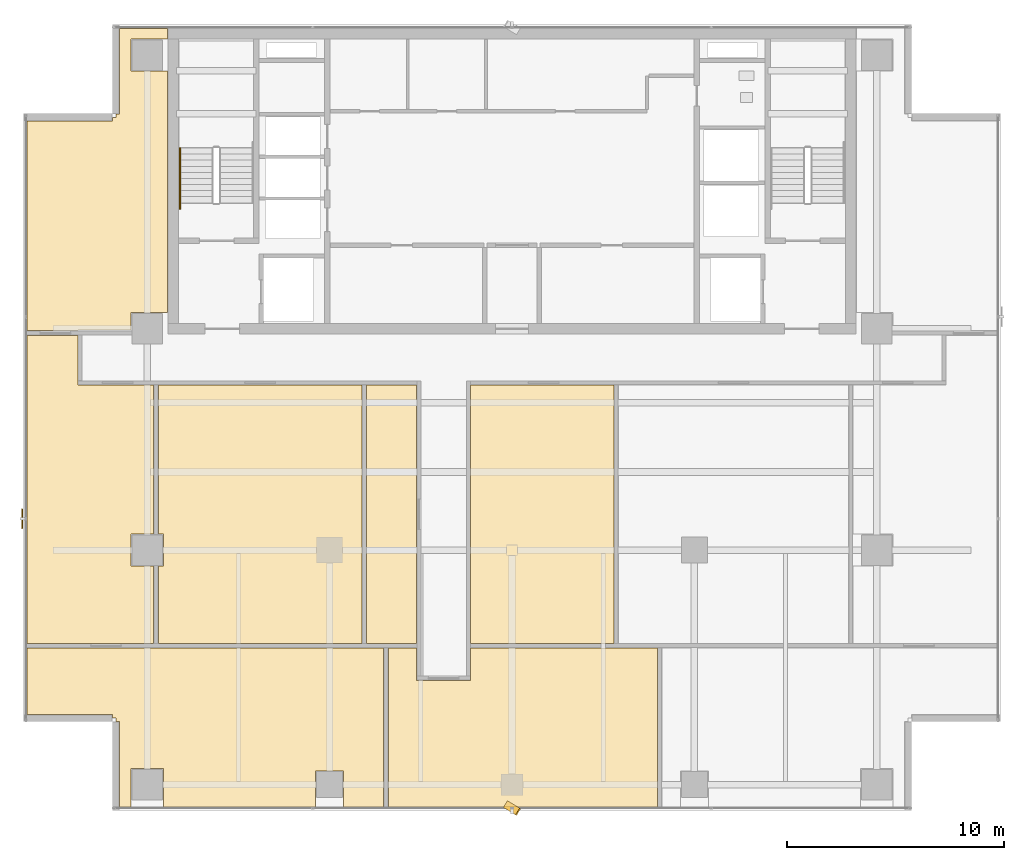
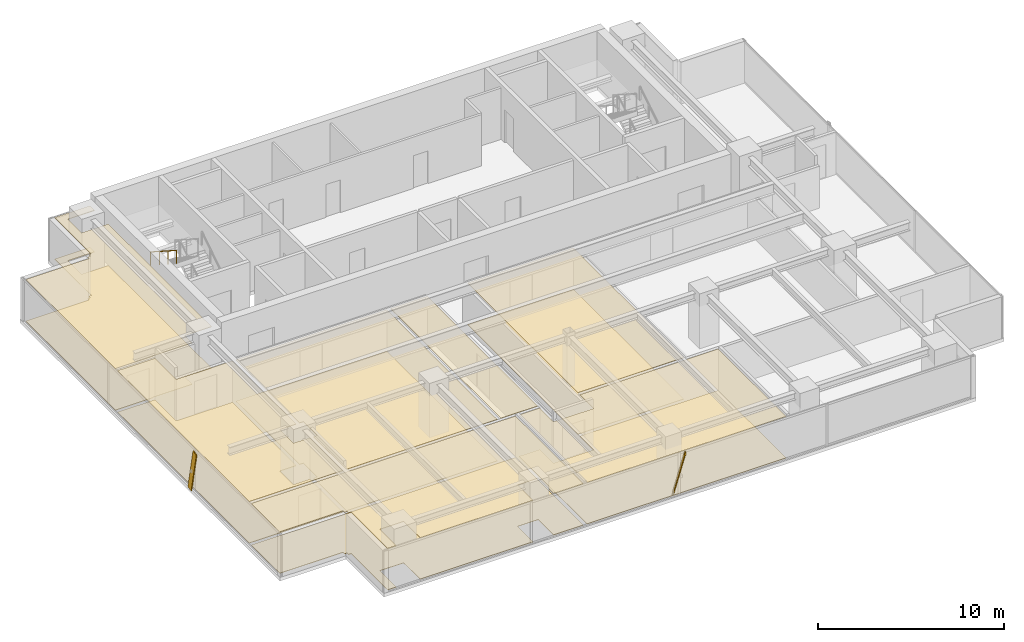
# One storey, part 22 of 25: 13 coverings, 2 shading devices, 1 railing.
"""IFC4 building model written with IfcOpenShell, lengths in metres."""

from ifc_helpers import new_model, si_unit, direction, frame, origin, origin_2d, place, context, subcontext, project, spatial, polyline, rectangle, outline, extrude, source, transform, mapped, material, layer, layer_set, material_profile, profile_set, type_object, element, save


model = new_model("IFC4")

# Units and contexts
model_context = context("Model", 3, precision=1e-05, world=origin(), true_north=direction((0.0, 1.0)))
body_context = subcontext(model_context, "Body", "Model", "MODEL_VIEW")
ifc_project = project(units=[si_unit("LENGTHUNIT", "METRE"), si_unit("AREAUNIT", "SQUARE_METRE"), si_unit("VOLUMEUNIT", "CUBIC_METRE"), si_unit("PLANEANGLEUNIT", "RADIAN"), si_unit("MASSUNIT", "GRAM", prefix="KILO")], contexts=[model_context])

# Site, building, storey
site_placement = place(None, origin())
site = spatial("IfcSite", under=ifc_project, at=site_placement, CompositionType="ELEMENT")
building_placement = place(site_placement, origin())
building = spatial("IfcBuilding", under=site, at=building_placement, Name="Sumidabori Civic Tower", CompositionType="ELEMENT")
storey_placement = place(building_placement, frame((0.0, 0.0, 268.39990234375)))
storey = spatial("IfcBuildingStorey", under=building, at=storey_placement, Name="L70", CompositionType="ELEMENT", Elevation=268.39990234375)

# Coverings
ifc_material_1 = material(Name="Acoustic Mineral Gypsum Ceiling Tile")
ifc_layer_1 = layer(ifc_material_1, 0.034912109375, Name="Acoustic Mineral Gypsum Ceiling Tile")
ifc_layer_set_1 = layer_set([ifc_layer_1], Name="Acoustic Mineral Gypsum Ceiling Tile")
covering_type_1 = type_object("IfcCoveringType", Name="CV-CEIL-AC1", PredefinedType="CEILING", material=ifc_layer_set_1)
covering_1_placement = place(storey_placement, frame((0.0, 0.0, 2.72021484375)))
element("IfcCovering", 1, at=covering_1_placement, inside=storey, type_object=covering_type_1, Name="Room Acoustic Ceiling L70-01", PredefinedType="CEILING", context=body_context, shape_type="SweptSolid", body=[
    extrude(outline(polyline([(-22.330078125, 10.110107421875), (-22.330078125, 19.77197265625), (-18.39208984375, 19.77197265625), (-18.39208984375, 19.929931640625), (-18.22998046875, 19.929931640625), (-18.22998046875, 20.092041015625), (-18.072021484375, 20.092041015625), (-18.072021484375, 24.030029296875), (-15.8779296875, 24.030029296875), (-15.8779296875, 23.5400390625), (-17.5400390625, 23.5400390625), (-17.5400390625, 22.06005859375), (-15.8779296875, 22.06005859375), (-15.8779296875, 10.93994140625), (-17.5400390625, 10.93994140625), (-17.5400390625, 10.14990234375), (-20.0, 10.14990234375), (-20.0, 10.110107421875), (-22.330078125, 10.110107421875)])), origin(), (0.0, 0.0, 1.0), 0.034912109375),
])
covering_2_placement = place(storey_placement, frame((0.0, 0.0, 2.72021484375)))
element("IfcCovering", 2, at=covering_2_placement, inside=storey, type_object=covering_type_1, Name="Room Acoustic Ceiling L70-03", PredefinedType="CEILING", context=body_context, shape_type="SweptSolid", body=[
    extrude(outline(polyline([(-20.0, 7.60009765625), (-16.510009765625, 7.60009765625), (-16.510009765625, 0.739990234375), (-17.5400390625, 0.739990234375), (-17.5400390625, -0.739990234375), (-16.510009765625, -0.739990234375), (-16.510009765625, -4.2900390625), (-22.330078125, -4.2900390625), (-22.330078125, 9.889892578125), (-20.0, 9.889892578125), (-20.0, 7.60009765625)])), origin(), (0.0, 0.0, 1.0), 0.034912109375),
])
covering_3_placement = place(storey_placement, frame((0.0, 0.0, 2.72021484375)))
element("IfcCovering", 3, at=covering_3_placement, inside=storey, type_object=covering_type_1, Name="Room Acoustic Ceiling L70-05", PredefinedType="CEILING", context=body_context, shape_type="SweptSolid", body=[
    extrude(outline(polyline([(-16.2900390625, -0.739990234375), (-16.06005859375, -0.739990234375), (-16.06005859375, 0.739990234375), (-16.2900390625, 0.739990234375), (-16.2900390625, 7.60009765625), (-6.909912109375, 7.60009765625), (-6.909912109375, -4.2900390625), (-16.2900390625, -4.2900390625), (-16.2900390625, -0.739990234375)])), origin(), (0.0, 0.0, 1.0), 0.034912109375),
])
covering_4_placement = place(storey_placement, frame((0.0, 0.0, 2.72021484375)))
element("IfcCovering", 4, at=covering_4_placement, inside=storey, type_object=covering_type_1, Name="Room Acoustic Ceiling L70-06", PredefinedType="CEILING", context=body_context, shape_type="SweptSolid", body=[
    extrude(outline(polyline([(-6.68994140625, 7.60009765625), (-4.39990234375, 7.60009765625), (-4.39990234375, -4.2900390625), (-6.68994140625, -4.2900390625), (-6.68994140625, 7.60009765625)])), origin(), (0.0, 0.0, 1.0), 0.034912109375),
])
covering_5_placement = place(storey_placement, frame((0.0, 0.0, 2.72021484375)))
element("IfcCovering", 5, at=covering_5_placement, inside=storey, type_object=covering_type_1, Name="Room Acoustic Ceiling L70-07", PredefinedType="CEILING", context=body_context, shape_type="SweptSolid", body=[
    extrude(outline(polyline([(-1.89990234375, 7.60009765625), (4.68994140625, 7.60009765625), (4.68994140625, -4.2900390625), (-1.89990234375, -4.2900390625), (-1.89990234375, 7.60009765625)])), origin(), (0.0, 0.0, 1.0), 0.034912109375),
])
covering_6_placement = place(storey_placement, frame((0.0, 0.0, 2.72021484375)))
element("IfcCovering", 6, at=covering_6_placement, inside=storey, type_object=covering_type_1, Name="Room Acoustic Ceiling L70-09", PredefinedType="CEILING", context=body_context, shape_type="SweptSolid", body=[
    extrude(outline(polyline([(-22.330078125, -7.572021484375), (-22.330078125, -4.510009765625), (-5.909912109375, -4.510009765625), (-5.909912109375, -11.830078125), (-7.760009765625, -11.830078125), (-7.760009765625, -10.159912109375), (-9.0400390625, -10.159912109375), (-9.0400390625, -11.830078125), (-16.06005859375, -11.830078125), (-16.06005859375, -10.06005859375), (-17.5400390625, -10.06005859375), (-17.5400390625, -11.830078125), (-18.072021484375, -11.830078125), (-18.072021484375, -7.89208984375), (-18.22998046875, -7.89208984375), (-18.22998046875, -7.72998046875), (-18.39208984375, -7.72998046875), (-18.39208984375, -7.572021484375), (-22.330078125, -7.572021484375)])), origin(), (0.0, 0.0, 1.0), 0.034912109375),
])
covering_7_placement = place(storey_placement, frame((0.0, 0.0, 2.72021484375)))
element("IfcCovering", 7, at=covering_7_placement, inside=storey, type_object=covering_type_1, Name="Room Acoustic Ceiling L70-11", PredefinedType="CEILING", context=body_context, shape_type="SweptSolid", body=[
    extrude(outline(polyline([(-4.39990234375, -6.0), (-1.89990234375, -6.0), (-1.89990234375, -5.797607421875), (-1.89990234375, -5.794921875), (-1.89990234375, -4.510009765625), (6.68994140625, -4.510009765625), (6.68994140625, -11.830078125), (-5.68994140625, -11.830078125), (-5.68994140625, -4.510009765625), (-4.39990234375, -4.510009765625), (-4.39990234375, -6.0)])), origin(), (0.0, 0.0, 1.0), 0.034912109375),
])
ifc_material_2 = material(Name="Honed Terrazzo Tile Flooring")
ifc_layer_2 = layer(ifc_material_2, 0.030029296875, Name="Honed Terrazzo Tile Flooring")
ifc_layer_set_2 = layer_set([ifc_layer_2], Name="Honed Terrazzo Tile Flooring")
covering_type_2 = type_object("IfcCoveringType", Name="CV-FLR-TER", PredefinedType="FLOORING", material=ifc_layer_set_2)
covering_8_placement = place(storey_placement, origin())
element("IfcCovering", 8, at=covering_8_placement, inside=storey, type_object=covering_type_2, Name="Room Terrazzo Floor L70-01", PredefinedType="FLOORING", context=body_context, shape_type="SweptSolid", body=[
    extrude(outline(polyline([(-22.330078125, 10.110107421875), (-22.330078125, 19.77197265625), (-18.39208984375, 19.77197265625), (-18.39208984375, 19.929931640625), (-18.22998046875, 19.929931640625), (-18.22998046875, 20.092041015625), (-18.072021484375, 20.092041015625), (-18.072021484375, 24.030029296875), (-15.8779296875, 24.030029296875), (-15.8779296875, 23.5400390625), (-17.5400390625, 23.5400390625), (-17.5400390625, 22.06005859375), (-15.8779296875, 22.06005859375), (-15.8779296875, 10.93994140625), (-17.5400390625, 10.93994140625), (-17.5400390625, 10.14990234375), (-20.0, 10.14990234375), (-20.0, 10.110107421875), (-22.330078125, 10.110107421875)])), origin(), (0.0, 0.0, 1.0), 0.030029296875),
])
covering_9_placement = place(storey_placement, origin())
element("IfcCovering", 9, at=covering_9_placement, inside=storey, type_object=covering_type_2, Name="Room Terrazzo Floor L70-03", PredefinedType="FLOORING", context=body_context, shape_type="SweptSolid", body=[
    extrude(outline(polyline([(-20.0, 7.60009765625), (-16.510009765625, 7.60009765625), (-16.510009765625, 0.739990234375), (-17.5400390625, 0.739990234375), (-17.5400390625, -0.739990234375), (-16.510009765625, -0.739990234375), (-16.510009765625, -4.2900390625), (-22.330078125, -4.2900390625), (-22.330078125, 9.889892578125), (-20.0, 9.889892578125), (-20.0, 7.60009765625)])), origin(), (0.0, 0.0, 1.0), 0.030029296875),
])
covering_10_placement = place(storey_placement, origin())
element("IfcCovering", 10, at=covering_10_placement, inside=storey, type_object=covering_type_2, Name="Room Terrazzo Floor L70-05", PredefinedType="FLOORING", context=body_context, shape_type="SweptSolid", body=[
    extrude(outline(polyline([(-16.2900390625, -0.739990234375), (-16.06005859375, -0.739990234375), (-16.06005859375, 0.739990234375), (-16.2900390625, 0.739990234375), (-16.2900390625, 7.60009765625), (-6.909912109375, 7.60009765625), (-6.909912109375, -4.2900390625), (-16.2900390625, -4.2900390625), (-16.2900390625, -0.739990234375)])), origin(), (0.0, 0.0, 1.0), 0.030029296875),
])
covering_11_placement = place(storey_placement, origin())
element("IfcCovering", 11, at=covering_11_placement, inside=storey, type_object=covering_type_2, Name="Room Terrazzo Floor L70-07", PredefinedType="FLOORING", context=body_context, shape_type="SweptSolid", body=[
    extrude(outline(polyline([(-1.89990234375, 7.60009765625), (4.68994140625, 7.60009765625), (4.68994140625, -4.2900390625), (-1.89990234375, -4.2900390625), (-1.89990234375, 7.60009765625)])), origin(), (0.0, 0.0, 1.0), 0.030029296875),
])
covering_12_placement = place(storey_placement, origin())
element("IfcCovering", 12, at=covering_12_placement, inside=storey, type_object=covering_type_2, Name="Room Terrazzo Floor L70-09", PredefinedType="FLOORING", context=body_context, shape_type="SweptSolid", body=[
    extrude(outline(polyline([(-22.330078125, -7.572021484375), (-22.330078125, -4.510009765625), (-5.909912109375, -4.510009765625), (-5.909912109375, -11.830078125), (-7.760009765625, -11.830078125), (-7.760009765625, -10.159912109375), (-9.0400390625, -10.159912109375), (-9.0400390625, -11.830078125), (-16.06005859375, -11.830078125), (-16.06005859375, -10.06005859375), (-17.5400390625, -10.06005859375), (-17.5400390625, -11.830078125), (-18.072021484375, -11.830078125), (-18.072021484375, -7.89208984375), (-18.22998046875, -7.89208984375), (-18.22998046875, -7.72998046875), (-18.39208984375, -7.72998046875), (-18.39208984375, -7.572021484375), (-22.330078125, -7.572021484375)])), origin(), (0.0, 0.0, 1.0), 0.030029296875),
])
covering_13_placement = place(storey_placement, origin())
element("IfcCovering", 13, at=covering_13_placement, inside=storey, type_object=covering_type_2, Name="Room Terrazzo Floor L70-11", PredefinedType="FLOORING", context=body_context, shape_type="SweptSolid", body=[
    extrude(outline(polyline([(-4.39990234375, -6.0), (-1.89990234375, -6.0), (-1.89990234375, -5.797607421875), (-1.89990234375, -5.794921875), (-1.89990234375, -4.510009765625), (6.68994140625, -4.510009765625), (6.68994140625, -11.830078125), (-5.68994140625, -11.830078125), (-5.68994140625, -4.510009765625), (-4.39990234375, -4.510009765625), (-4.39990234375, -6.0)])), origin(), (0.0, 0.0, 1.0), 0.030029296875),
])

# Railing
ifc_material_3 = material(Name="Stainless Steel Hairline Finish", Category="steel")
railing_type = type_object("IfcRailingType", Name="RL-HANDRAIL", PredefinedType="HANDRAIL", material=ifc_material_3)
railing_placement = place(storey_placement, frame((-15.2900390625, 18.52001953125, 1.97998046875)))
element("IfcRailing", 14, at=railing_placement, inside=storey, type_object=railing_type, Name="L70 ST-1 stair handrail 2", PredefinedType="HANDRAIL", context=body_context, shape_type="SweptSolid", body=[
    extrude(rectangle(XDim=0.048095703125, YDim=0.048095703125, at=origin_2d()), frame((0.0, 0.0, 0.8759765625), z_axis=(0.0, -0.84064222762, 0.54159084662), x_axis=(1.0, 0.0, 0.0)), (0.0, 0.0, 1.0), 3.330810546875),
    extrude(rectangle(XDim=0.0419921875, YDim=0.0419921875, at=origin_2d()), origin(), (0.0, 0.0, 1.0), 0.851806640625),
    extrude(rectangle(XDim=0.0419921875, YDim=0.0419921875, at=origin_2d()), frame((0.0, -0.933349609375, 0.601318359375)), (0.0, 0.0, 1.0), 0.851806640625),
    extrude(rectangle(XDim=0.0419921875, YDim=0.0419921875, at=origin_2d()), frame((0.0, -1.86669921875, 1.20263671875)), (0.0, 0.0, 1.0), 0.851806640625),
    extrude(rectangle(XDim=0.0419921875, YDim=0.0419921875, at=origin_2d()), frame((0.0, -2.800048828125, 1.803955078125)), (0.0, 0.0, 1.0), 0.851806640625),
])

# Shading devices
ifc_material_4 = material(Name="Anodised Bronze Aluminium AW-6063-T6", Category="aluminium")
ifc_material_profile = material_profile(ifc_material_4, rectangle(XDim=0.054931640625, YDim=0.360107421875, at=origin_2d()), Name="BRONZE FIN 360x55")
ifc_profile_set = profile_set([ifc_material_profile], Name="Anodised Bronze Aluminium AW-6063-T6")
shading_device_type = type_object("IfcShadingDeviceType", Name="SH-FIN-360", PredefinedType="USERDEFINED", material=ifc_profile_set)
shared_shape_1 = source(origin(), body_context, "Body", "SweptSolid", [
    extrude(rectangle(XDim=0.054931640625, YDim=0.360107421875, at=origin_2d()), origin(), (0.0, 0.0, 1.0), 2.768798828125),
])
shading_device_1_placement = place(storey_placement, frame((-0.280029296875, -11.7099609375, 0.02001953125), z_axis=(0.202272600211, -0.122827258978, 0.971596243126), x_axis=(0.830473922694, -0.504293885925, -0.236644755582)))
element("IfcShadingDevice", 15, at=shading_device_1_placement, inside=storey, type_object=shading_device_type, Name="Bronze Anodised Diagonal Fin L70-02", ObjectType="FIN", PredefinedType="USERDEFINED", context=body_context, shape_type="MappedRepresentation", body=[
    mapped(shared_shape_1, transform((0.0, 0.0, 0.0), x_axis=(1.0, 0.0, 0.0), y_axis=(0.0, 1.0, 0.0), z_axis=(0.0, 0.0, 1.0), scale=1.0)),
])
shared_shape_2 = source(origin(), body_context, "Body", "SweptSolid", [
    extrude(rectangle(XDim=0.054931640625, YDim=0.360107421875, at=origin_2d()), origin(), (0.0, 0.0, 1.0), 2.747802734375),
])
shading_device_2_placement = place(storey_placement, frame((-22.550048828125, 1.723388671875, 0.02001953125), z_axis=(0.0, -0.203815880787, 0.97900923731), x_axis=(-1.0, 0.0, 0.0)))
element("IfcShadingDevice", 16, at=shading_device_2_placement, inside=storey, type_object=shading_device_type, Name="Bronze Anodised Diagonal Fin L70-02", ObjectType="FIN", PredefinedType="USERDEFINED", context=body_context, shape_type="MappedRepresentation", body=[
    mapped(shared_shape_2, transform((0.0, 0.0, 0.0), x_axis=(1.0, 0.0, 0.0), y_axis=(0.0, 1.0, 0.0), z_axis=(0.0, 0.0, 1.0), scale=1.0)),
])

save(model, "model.ifc")
